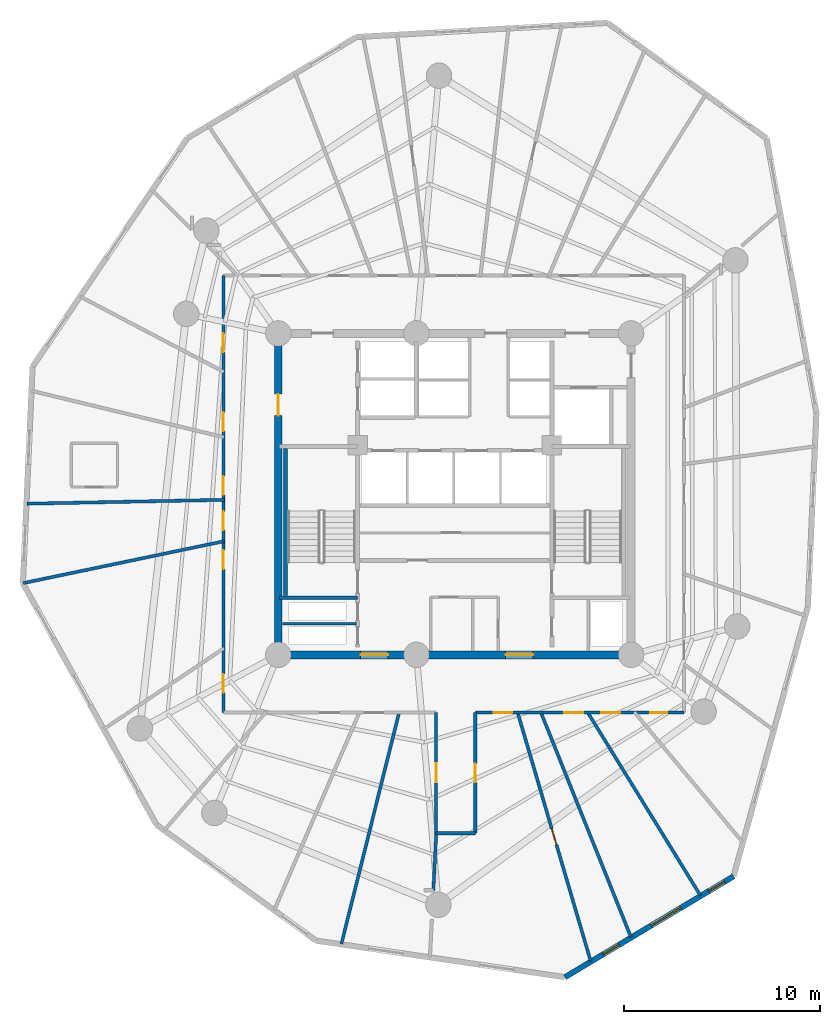
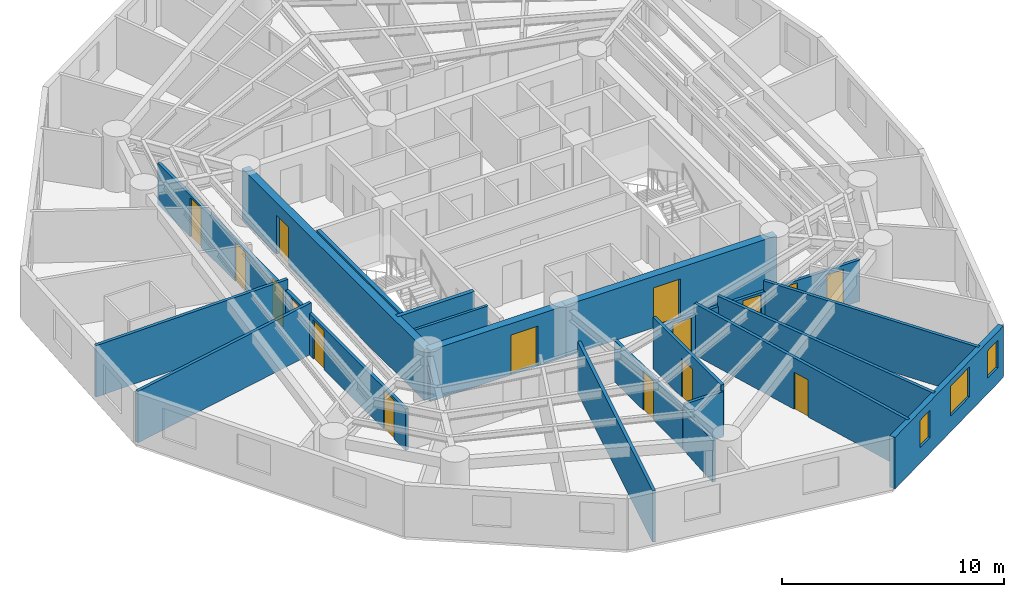
# One storey, part 3 of 8: 19 walls, 16 doors, 3 windows, 19 openings.
"""IFC4 building model written with IfcOpenShell, lengths in metres."""

import ifcopenshell
import ifcopenshell.guid

model = None  # the IFC model being written
_history = None  # IfcOwnerHistory: only IFC2X3 demands one
_inside = {}  # id of a spatial element -> (the spatial element, [elements in it])
_under = {}  # id of a project, library or spatial element -> (it, [spatial elements below it])
_declared = {}  # id of a project -> (the project, [libraries it declares])
_typed = {}  # id of a type object -> (the type object, [elements of that type])
_made_of = {}  # id of a material, layer set ... -> (it, [elements and type objects made of it])


def new_model(schema):
    """Start an empty IFC model of exactly this schema.

    Asked for "IFC4X3", IfcOpenShell would pick the latest addendum, in which some entities
    have other attributes; the version numbers below select the first issue.
    IFC2X3 requires an IfcOwnerHistory on every rooted entity: one is made here for all.
    """
    global model, _history
    if schema == "IFC4X3":
        model = ifcopenshell.file(schema_version=(4, 3, 0, 0))
    else:
        model = ifcopenshell.file(schema=schema)
    _inside.clear()
    _under.clear()
    _declared.clear()
    _typed.clear()
    _made_of.clear()
    _history = None
    if model.schema == "IFC2X3":
        org = make("IfcOrganization", Name="unknown")
        user = make(
            "IfcPersonAndOrganization",
            ThePerson=make("IfcPerson", FamilyName="unknown"),
            TheOrganization=org,
        )
        app = make(
            "IfcApplication",
            ApplicationDeveloper=org,
            Version="unknown",
            ApplicationFullName="unknown",
            ApplicationIdentifier="unknown",
        )
        _history = make(
            "IfcOwnerHistory",
            OwningUser=user,
            OwningApplication=app,
            ChangeAction="ADDED",
            CreationDate=0,
        )
    return model


def make(cls, **values):
    """One entity of the class cls with the attributes given. An attribute that is None is left unset."""
    return model.create_entity(
        cls, **{name: value for name, value in values.items() if value is not None}
    )


def rooted(cls, **values):
    """An entity with a GlobalId (a new one), such as an element, a storey or a relation."""
    return make(cls, GlobalId=ifcopenshell.guid.new(), OwnerHistory=_history, **values)


def si_unit(unit_type, name, prefix=None):
    """IfcSIUnit, for example si_unit("LENGTHUNIT", "METRE", prefix="MILLI")."""
    return make("IfcSIUnit", UnitType=unit_type, Prefix=prefix, Name=name)


def assignment(units):
    """IfcUnitAssignment: the units of a project."""
    return None if units is None else make("IfcUnitAssignment", Units=units)


def point(xyz):
    """IfcCartesianPoint."""
    return None if xyz is None else make("IfcCartesianPoint", Coordinates=xyz)


def direction(xyz):
    """IfcDirection."""
    return None if xyz is None else make("IfcDirection", DirectionRatios=xyz)


def frame(location, z_axis=None, x_axis=None):
    """IfcAxis2Placement3D, a coordinate frame: its origin and axes. An axis left out is left unset."""
    return make(
        "IfcAxis2Placement3D",
        Location=point(location),
        Axis=direction(z_axis),
        RefDirection=direction(x_axis),
    )


def frame_2d(location, x_axis=None):
    """IfcAxis2Placement2D, a coordinate frame in the plane: its origin and x axis."""
    return make(
        "IfcAxis2Placement2D", Location=point(location), RefDirection=direction(x_axis)
    )


def origin():
    """The frame at (0, 0, 0) with its axes left unset."""
    return frame((0.0, 0.0, 0.0))


def origin_with_axes():
    """The frame at (0, 0, 0) with the z axis (0, 0, 1) and the x axis (1, 0, 0) written out."""
    return frame((0.0, 0.0, 0.0), z_axis=(0.0, 0.0, 1.0), x_axis=(1.0, 0.0, 0.0))


def place(relative_to, where):
    """IfcLocalPlacement: puts the frame where relative to a parent placement (None: the world)."""
    return make(
        "IfcLocalPlacement", PlacementRelTo=relative_to, RelativePlacement=where
    )


def context(
    kind, dimensions, precision=None, world=None, true_north=None, identifier=None
):
    """IfcGeometricRepresentationContext, for example the 3D "Model" context."""
    return make(
        "IfcGeometricRepresentationContext",
        ContextIdentifier=identifier,
        ContextType=kind,
        CoordinateSpaceDimension=dimensions,
        Precision=precision,
        WorldCoordinateSystem=world,
        TrueNorth=true_north,
    )


def subcontext(parent, identifier, kind, view, scale=None):
    """IfcGeometricRepresentationSubContext, for example "Body" below "Model"."""
    return make(
        "IfcGeometricRepresentationSubContext",
        ContextIdentifier=identifier,
        ContextType=kind,
        ParentContext=parent,
        TargetScale=scale,
        TargetView=view,
    )


def project(units=None, contexts=None):
    """IfcProject with its units and contexts."""
    return rooted(
        "IfcProject",
        Name="project",
        RepresentationContexts=contexts,
        UnitsInContext=assignment(units),
    )


def spatial(cls, under=None, at=None, **own):
    """A site, building, storey or space (cls), placed at a placement, below another one or the project."""
    s = rooted(cls, ObjectPlacement=at, **own)
    if under is not None:
        _under.setdefault(under.id(), (under, []))[1].append(s)
    return s


def profile(cls, at=None, kind="AREA", **sizes):
    """A parametric profile (cls). Its sizes go by their IFC names, for example OverallWidth=200.0."""
    return make(cls, ProfileType=kind, Position=at, **sizes)


def rectangle(**sizes):
    """IfcRectangleProfileDef."""
    return profile("IfcRectangleProfileDef", **sizes)


def extrude(swept, where, along, depth):
    """IfcExtrudedAreaSolid: the profile swept, set in the frame where, extruded along a direction by depth."""
    return make(
        "IfcExtrudedAreaSolid",
        SweptArea=swept,
        Position=where,
        ExtrudedDirection=direction(along),
        Depth=depth,
    )


def shape(context_of_items, identifier, shape_type, items):
    """IfcShapeRepresentation: the items that make up one representation, for example the "Body"."""
    return make(
        "IfcShapeRepresentation",
        ContextOfItems=context_of_items,
        RepresentationIdentifier=identifier,
        RepresentationType=shape_type,
        Items=items,
    )


def source(mapping_origin, context_of_items, identifier, shape_type, items):
    """IfcRepresentationMap: a shape defined once, which mapped items show again and again."""
    return make(
        "IfcRepresentationMap",
        MappingOrigin=mapping_origin,
        MappedRepresentation=shape(context_of_items, identifier, shape_type, items),
    )


def transform(
    local_origin,
    x_axis=None,
    y_axis=None,
    z_axis=None,
    scale=None,
    scale2=None,
    scale3=None,
    uniform=True,
):
    """IfcCartesianTransformationOperator3D, or its non-uniform kind. x_axis, y_axis, z_axis: its Axis1, 2, 3."""
    if uniform:
        return make(
            "IfcCartesianTransformationOperator3D",
            Axis1=direction(x_axis),
            Axis2=direction(y_axis),
            LocalOrigin=point(local_origin),
            Scale=scale,
            Axis3=direction(z_axis),
        )
    return make(
        "IfcCartesianTransformationOperator3DnonUniform",
        Axis1=direction(x_axis),
        Axis2=direction(y_axis),
        LocalOrigin=point(local_origin),
        Scale=scale,
        Axis3=direction(z_axis),
        Scale2=scale2,
        Scale3=scale3,
    )


def mapped(mapping_source, mapping_target):
    """IfcMappedItem: shows the shape of a source again, moved by a transform."""
    return make(
        "IfcMappedItem", MappingSource=mapping_source, MappingTarget=mapping_target
    )


def material(Name=None, Category=None):
    """IfcMaterial."""
    return make("IfcMaterial", Name=Name, Category=Category)


def layer(
    of_material, thickness, ventilated=None, Name=None, Category=None, Priority=None
):
    """IfcMaterialLayer: one layer of a wall or slab, of a material (None: an air gap)."""
    return make(
        "IfcMaterialLayer",
        Material=of_material,
        LayerThickness=thickness,
        IsVentilated=ventilated,
        Name=Name,
        Category=Category,
        Priority=Priority,
    )


def layer_set(layers, Name=None):
    """IfcMaterialLayerSet."""
    return make("IfcMaterialLayerSet", MaterialLayers=layers, LayerSetName=Name)


def made_of(thing, what):
    """Note that an element or type object is made of a material, layer set ...; save() writes the relation."""
    if what is not None:
        _made_of.setdefault(what.id(), (what, []))[1].append(thing)
    return thing


def type_object(cls, material=None, **own):
    """A type object (cls), such as IfcWallType, which elements share."""
    return made_of(rooted(cls, **own), material)


def element(
    cls,
    number,
    at=None,
    inside=None,
    cuts=None,
    type_object=None,
    material=None,
    context=None,
    identifier="Body",
    shape_type=None,
    held_by="IfcProductDefinitionShape",
    body=None,
    shapes=None,
    **own,
):
    """One element of the class cls, such as IfcWall. Its Tag is "e" and its number.

    at: its placement. inside: the storey or other place that contains it. cuts: it is an
    opening in that element (IfcRelVoidsElement). A single representation is given by context,
    identifier, shape_type and body (its items); several are given by shapes. held_by: the class
    of the entity that holds the representations. save() writes the other relations.
    """
    e = rooted(cls, Tag="e%d" % number, ObjectPlacement=at, **own)
    if body is not None:
        shapes = [shape(context, identifier, shape_type, body)]
    if shapes is not None:
        e.Representation = make(held_by, Representations=shapes)
    if inside is not None:
        _inside.setdefault(inside.id(), (inside, []))[1].append(e)
    if cuts is not None:
        rooted(
            "IfcRelVoidsElement", RelatingBuildingElement=cuts, RelatedOpeningElement=e
        )
    if type_object is not None:
        _typed.setdefault(type_object.id(), (type_object, []))[1].append(e)
    return made_of(e, material)


def fill(opening, filler):
    """IfcRelFillsElement: the door or window that sits in an opening."""
    return rooted(
        "IfcRelFillsElement",
        RelatingOpeningElement=opening,
        RelatedBuildingElement=filler,
    )


def aggregate(whole, parts):
    """IfcRelAggregates: a whole, such as a stair, and the parts it consists of."""
    return rooted("IfcRelAggregates", RelatingObject=whole, RelatedObjects=parts)


def save(model, path):
    """Write the relations noted so far, then the file.

    IfcRelAggregates (storeys below a building ...), IfcRelContainedInSpatialStructure (elements
    in a storey), IfcRelDefinesByType, IfcRelAssociatesMaterial and IfcRelDeclares: one each for
    every whole, place, type object, material and project.
    """
    for whole, parts in _under.values():
        aggregate(whole, parts)
    for where, things in _inside.values():
        rooted(
            "IfcRelContainedInSpatialStructure",
            RelatedElements=things,
            RelatingStructure=where,
        )
    for kind, things in _typed.values():
        rooted("IfcRelDefinesByType", RelatedObjects=things, RelatingType=kind)
    for what, things in _made_of.values():
        rooted("IfcRelAssociatesMaterial", RelatedObjects=things, RelatingMaterial=what)
    for by, libraries in _declared.values():
        rooted("IfcRelDeclares", RelatingContext=by, RelatedDefinitions=libraries)
    model.write(path)


model = new_model("IFC4")

# Units and contexts
model_context = context("Model", 3, precision=1e-05, world=origin(), true_north=direction((0.0, 1.0)))
body_context = subcontext(model_context, "Body", "Model", "MODEL_VIEW")
ifc_project = project(units=[si_unit("LENGTHUNIT", "METRE"), si_unit("AREAUNIT", "SQUARE_METRE"), si_unit("VOLUMEUNIT", "CUBIC_METRE"), si_unit("PLANEANGLEUNIT", "RADIAN"), si_unit("MASSUNIT", "GRAM", prefix="KILO")], contexts=[model_context])

# Site, building, storey
site_placement = place(None, origin())
site = spatial("IfcSite", under=ifc_project, at=site_placement, CompositionType="ELEMENT")
building_placement = place(site_placement, origin())
building = spatial("IfcBuilding", under=site, at=building_placement, Name="Karkom Vertical University and Central Library", CompositionType="ELEMENT")
storey_placement = place(building_placement, frame((0.0, 0.0, 180.949951171875)))
storey = spatial("IfcBuildingStorey", under=building, at=storey_placement, Name="L52", CompositionType="ELEMENT", Elevation=180.949951171875)

# Wall, openings, windows
ifc_material_1 = material(Name="Brick-faced precast concrete C45/55", Category="masonry")
ifc_layer_1 = layer(ifc_material_1, 0.280029296875)
ifc_layer_set_1 = layer_set([ifc_layer_1], Name="Brick-faced precast concrete C45/55")
wall_type_1 = type_object("IfcWallType", Name="ENV-WL-BRK-280", PredefinedType="SOLIDWALL", material=ifc_layer_set_1)
wall_1_placement = place(storey_placement, frame((34.122802734375, 1.85009765625, 0.0), z_axis=(0.0, 0.0, 1.0), x_axis=(0.858226046781, 0.513271909057, 0.0)))
wall_1 = element("IfcWall", 1, at=wall_1_placement, inside=storey, type_object=wall_type_1, Name="Level 52 Brick-Faced Precast Facade Wall 05", PredefinedType="SOLIDWALL", context=body_context, shape_type="SweptSolid", body=[
    extrude(rectangle(XDim=10.037353515625, YDim=0.280029296875, at=frame_2d((5.0185546875, 0.0))), origin(), (0.0, 0.0, 1.0), 2.824951171875),
])
opening_1_placement = place(wall_1_placement, frame((2.2802734375, 0.0, 0.85009765625)))
opening_1 = element("IfcOpeningElement", 2, at=opening_1_placement, cuts=wall_1, Name="Opening WN-12", PredefinedType="OPENING", context=body_context, shape_type="SweptSolid", body=[
    extrude(rectangle(XDim=0.949951171875, YDim=1.5, at=frame_2d((0.47509765625, 0.75))), frame((0.0, 0.14990234375, 0.0), z_axis=(0.0, -1.0, 0.0), x_axis=(1.0, 0.0, 0.0)), (0.0, 0.0, 1.0), 0.300048828125),
])
opening_2_placement = place(wall_1_placement, frame((5.138671875, 0.0, 0.85009765625)))
opening_2 = element("IfcOpeningElement", 3, at=opening_2_placement, cuts=wall_1, Name="Opening WN-08", PredefinedType="OPENING", context=body_context, shape_type="SweptSolid", body=[
    extrude(rectangle(XDim=1.75, YDim=1.64990234375, at=frame_2d((0.875, 0.824951171875))), frame((0.0, 0.14990234375, 0.0), z_axis=(0.0, -1.0, 0.0), x_axis=(1.0, 0.0, 0.0)), (0.0, 0.0, 1.0), 0.300048828125),
])
opening_3_placement = place(wall_1_placement, frame((8.5517578125, 0.0, 0.85009765625)))
opening_3 = element("IfcOpeningElement", 4, at=opening_3_placement, cuts=wall_1, Name="Opening WN-12", PredefinedType="OPENING", context=body_context, shape_type="SweptSolid", body=[
    extrude(rectangle(XDim=0.949951171875, YDim=1.5, at=frame_2d((0.47509765625, 0.75))), frame((0.0, 0.14990234375, 0.0), z_axis=(0.0, -1.0, 0.0), x_axis=(1.0, 0.0, 0.0)), (0.0, 0.0, 1.0), 0.300048828125),
])
ifc_material_2 = material(Name="Aluminium thermal-break frame with solar-control IGU", Category="aluminium")
window_type_1 = type_object("IfcWindowType", Name="ENV-WIN-WN-12", PartitioningType="SINGLE_PANEL", PredefinedType="WINDOW", material=ifc_material_2)
shared_shape_1 = source(origin_with_axes(), body_context, "Body", "SweptSolid", [
    extrude(rectangle(XDim=0.949951171875, YDim=1.5, at=frame_2d((0.47509765625, 0.75))), frame((0.0, 0.030029296875, 0.0), z_axis=(0.0, -1.0, 0.0), x_axis=(1.0, 0.0, 0.0)), (0.0, 0.0, 1.0), 0.06005859375),
])
window_1_placement = place(opening_1_placement, origin())
window_1 = element("IfcWindow", 5, at=window_1_placement, inside=storey, type_object=window_type_1, Name="Level 52 Punched Window 5.1", OverallHeight=1.5, OverallWidth=0.949951171875, PartitioningType="SINGLE_PANEL", PredefinedType="WINDOW", context=body_context, shape_type="MappedRepresentation", body=[
    mapped(shared_shape_1, transform((0.0, 0.0, 0.0), scale=1.0)),
])
fill(opening_1, window_1)
window_2_placement = place(opening_3_placement, origin())
window_2 = element("IfcWindow", 6, at=window_2_placement, inside=storey, type_object=window_type_1, Name="Level 52 Punched Window 5.3", OverallHeight=1.5, OverallWidth=0.949951171875, PartitioningType="SINGLE_PANEL", PredefinedType="WINDOW", context=body_context, shape_type="MappedRepresentation", body=[
    mapped(shared_shape_1, transform((0.0, 0.0, 0.0), scale=1.0)),
])
fill(opening_3, window_2)
window_type_2 = type_object("IfcWindowType", Name="ENV-WIN-WN-08", PartitioningType="SINGLE_PANEL", PredefinedType="WINDOW", material=ifc_material_2)
shared_shape_2 = source(origin_with_axes(), body_context, "Body", "SweptSolid", [
    extrude(rectangle(XDim=1.75, YDim=1.64990234375, at=frame_2d((0.875, 0.824951171875))), frame((0.0, 0.030029296875, 0.0), z_axis=(0.0, -1.0, 0.0), x_axis=(1.0, 0.0, 0.0)), (0.0, 0.0, 1.0), 0.06005859375),
])
window_3_placement = place(opening_2_placement, origin())
window_3 = element("IfcWindow", 7, at=window_3_placement, inside=storey, type_object=window_type_2, Name="Level 52 Punched Window 5.2", OverallHeight=1.64990234375, OverallWidth=1.75, PartitioningType="SINGLE_PANEL", PredefinedType="WINDOW", context=body_context, shape_type="MappedRepresentation", body=[
    mapped(shared_shape_2, transform((0.0, 0.0, 0.0), scale=1.0)),
])
fill(opening_2, window_3)

# Wall, openings, doors
ifc_material_3 = material(Name="Insulated metal-stud drywall 160mm", Category="gypsum")
ifc_layer_2 = layer(ifc_material_3, 0.159912109375)
ifc_layer_set_2 = layer_set([ifc_layer_2], Name="Insulated metal-stud drywall 160mm")
wall_type_2 = type_object("IfcWallType", Name="INT-WL-COR-160", PredefinedType="PARTITIONING", material=ifc_layer_set_2)
wall_2_placement = place(storey_placement, frame((16.699951171875, 15.35009765625, 0.0), z_axis=(0.0, 0.0, 1.0), x_axis=(0.0, 1.0, 0.0)))
wall_2 = element("IfcWall", 8, at=wall_2_placement, inside=storey, type_object=wall_type_2, Name="Level 52 Interior Partition Wall L52-CORW-CW-002", PredefinedType="PARTITIONING", context=body_context, shape_type="SweptSolid", body=[
    extrude(rectangle(XDim=22.2998046875, YDim=0.159912109375, at=frame_2d((11.14990234375, 0.0))), origin(), (0.0, 0.0, 1.0), 2.275146484375),
])
opening_4_placement = place(wall_2_placement, frame((9.31494140625, 0.0, 0.0)))
opening_4 = element("IfcOpeningElement", 9, at=opening_4_placement, cuts=wall_2, Name="Opening D-RM1", PredefinedType="OPENING", context=body_context, shape_type="SweptSolid", body=[
    extrude(rectangle(XDim=0.949951171875, YDim=2.14990234375, at=frame_2d((0.47509765625, 1.074951171875))), frame((0.0, 0.08984375, 0.0), z_axis=(0.0, -1.0, 0.0), x_axis=(1.0, 0.0, 0.0)), (0.0, 0.0, 1.0), 0.179931640625),
])
opening_5_placement = place(wall_2_placement, frame((7.330078125, 0.0, 0.0)))
opening_5 = element("IfcOpeningElement", 10, at=opening_5_placement, cuts=wall_2, Name="Opening FD-RM2", PredefinedType="OPENING", context=body_context, shape_type="SweptSolid", body=[
    extrude(rectangle(XDim=0.9599609375, YDim=2.14990234375, at=frame_2d((0.47998046875, 1.074951171875))), frame((0.0, 0.08984375, 0.0), z_axis=(0.0, -1.0, 0.0), x_axis=(1.0, 0.0, 0.0)), (0.0, 0.0, 1.0), 0.179931640625),
])
opening_6_placement = place(wall_2_placement, frame((1.02099609375, 0.0, 0.0)))
opening_6 = element("IfcOpeningElement", 11, at=opening_6_placement, cuts=wall_2, Name="Opening D-RM1", PredefinedType="OPENING", context=body_context, shape_type="SweptSolid", body=[
    extrude(rectangle(XDim=0.949951171875, YDim=2.14990234375, at=frame_2d((0.47509765625, 1.074951171875))), frame((0.0, 0.08984375, 0.0), z_axis=(0.0, -1.0, 0.0), x_axis=(1.0, 0.0, 0.0)), (0.0, 0.0, 1.0), 0.179931640625),
])
opening_7_placement = place(wall_2_placement, frame((18.395751953125, 0.0, 0.0)))
opening_7 = element("IfcOpeningElement", 12, at=opening_7_placement, cuts=wall_2, Name="Opening FD-RM2", PredefinedType="OPENING", context=body_context, shape_type="SweptSolid", body=[
    extrude(rectangle(XDim=0.9599609375, YDim=2.14990234375, at=frame_2d((0.47998046875, 1.074951171875))), frame((0.0, 0.08984375, 0.0), z_axis=(0.0, -1.0, 0.0), x_axis=(1.0, 0.0, 0.0)), (0.0, 0.0, 1.0), 0.179931640625),
])
opening_8_placement = place(wall_2_placement, frame((14.360107421875, 0.0, 0.0)))
opening_8 = element("IfcOpeningElement", 13, at=opening_8_placement, cuts=wall_2, Name="Opening FD-RM2", PredefinedType="OPENING", context=body_context, shape_type="SweptSolid", body=[
    extrude(rectangle(XDim=0.9599609375, YDim=2.14990234375, at=frame_2d((0.47998046875, 1.074951171875))), frame((0.0, 0.08984375, 0.0), z_axis=(0.0, -1.0, 0.0), x_axis=(1.0, 0.0, 0.0)), (0.0, 0.0, 1.0), 0.179931640625),
])
opening_9_placement = place(wall_2_placement, frame((11.114990234375, 0.0, 0.0)))
opening_9 = element("IfcOpeningElement", 14, at=opening_9_placement, cuts=wall_2, Name="Opening D-RM1", PredefinedType="OPENING", context=body_context, shape_type="SweptSolid", body=[
    extrude(rectangle(XDim=0.949951171875, YDim=2.14990234375, at=frame_2d((0.47509765625, 1.074951171875))), frame((0.0, 0.08984375, 0.0), z_axis=(0.0, -1.0, 0.0), x_axis=(1.0, 0.0, 0.0)), (0.0, 0.0, 1.0), 0.179931640625),
])
ifc_material_4 = material(Name="Fire-rated oak veneer door", Category="wood")
door_type_1 = type_object("IfcDoorType", Name="INT-DR-FRM2", OperationType="NOTDEFINED", PredefinedType="DOOR", material=ifc_material_4)
shared_shape_3 = source(origin_with_axes(), body_context, "Body", "SweptSolid", [
    extrude(rectangle(XDim=0.9599609375, YDim=2.14990234375, at=frame_2d((0.47998046875, 1.074951171875))), frame((0.0, 0.02490234375, 0.0), z_axis=(0.0, -1.0, 0.0), x_axis=(1.0, 0.0, 0.0)), (0.0, 0.0, 1.0), 0.050048828125),
])
door_1_placement = place(opening_5_placement, origin())
door_1 = element("IfcDoor", 15, at=door_1_placement, inside=storey, type_object=door_type_1, Name="Level 52 Room Entry Door 010", OperationType="SINGLE_SWING_RIGHT", OverallHeight=2.14990234375, OverallWidth=0.9599609375, PredefinedType="DOOR", context=body_context, shape_type="MappedRepresentation", body=[
    mapped(shared_shape_3, transform((0.0, 0.0, 0.0), scale=1.0)),
])
fill(opening_5, door_1)
door_2_placement = place(opening_7_placement, origin())
door_2 = element("IfcDoor", 16, at=door_2_placement, inside=storey, type_object=door_type_1, Name="Level 52 Room Entry Door 240", OperationType="SINGLE_SWING_RIGHT", OverallHeight=2.14990234375, OverallWidth=0.9599609375, PredefinedType="DOOR", context=body_context, shape_type="MappedRepresentation", body=[
    mapped(shared_shape_3, transform((0.0, 0.0, 0.0), scale=1.0)),
])
fill(opening_7, door_2)
door_3_placement = place(opening_8_placement, origin())
door_3 = element("IfcDoor", 17, at=door_3_placement, inside=storey, type_object=door_type_1, Name="Level 52 Room Entry Door 250", OperationType="SINGLE_SWING_LEFT", OverallHeight=2.14990234375, OverallWidth=0.9599609375, PredefinedType="DOOR", context=body_context, shape_type="MappedRepresentation", body=[
    mapped(shared_shape_3, transform((0.0, 0.0, 0.0), scale=1.0)),
])
fill(opening_8, door_3)
ifc_material_5 = material(Name="Solid-core oak veneer door", Category="wood")
door_type_2 = type_object("IfcDoorType", Name="INT-DR-RM1", OperationType="NOTDEFINED", PredefinedType="DOOR", material=ifc_material_5)
shared_shape_4 = source(origin_with_axes(), body_context, "Body", "SweptSolid", [
    extrude(rectangle(XDim=0.949951171875, YDim=2.14990234375, at=frame_2d((0.47509765625, 1.074951171875))), frame((0.0, 0.02490234375, 0.0), z_axis=(0.0, -1.0, 0.0), x_axis=(1.0, 0.0, 0.0)), (0.0, 0.0, 1.0), 0.050048828125),
])
door_4_placement = place(opening_4_placement, origin())
door_4 = element("IfcDoor", 18, at=door_4_placement, inside=storey, type_object=door_type_2, Name="Level 52 Room Entry Door 000", OperationType="SINGLE_SWING_LEFT", OverallHeight=2.14990234375, OverallWidth=0.949951171875, PredefinedType="DOOR", context=body_context, shape_type="MappedRepresentation", body=[
    mapped(shared_shape_4, transform((0.0, 0.0, 0.0), scale=1.0)),
])
fill(opening_4, door_4)
door_5_placement = place(opening_6_placement, origin())
door_5 = element("IfcDoor", 19, at=door_5_placement, inside=storey, type_object=door_type_2, Name="Level 52 Room Entry Door 020", OperationType="SINGLE_SWING_LEFT", OverallHeight=2.14990234375, OverallWidth=0.949951171875, PredefinedType="DOOR", context=body_context, shape_type="MappedRepresentation", body=[
    mapped(shared_shape_4, transform((0.0, 0.0, 0.0), scale=1.0)),
])
fill(opening_6, door_5)
door_6_placement = place(opening_9_placement, origin())
door_6 = element("IfcDoor", 20, at=door_6_placement, inside=storey, type_object=door_type_2, Name="Level 52 Room Entry Door 260", OperationType="SINGLE_SWING_RIGHT", OverallHeight=2.14990234375, OverallWidth=0.949951171875, PredefinedType="DOOR", context=body_context, shape_type="MappedRepresentation", body=[
    mapped(shared_shape_4, transform((0.0, 0.0, 0.0), scale=1.0)),
])
fill(opening_9, door_6)

# Wall, opening, door
wall_3_placement = place(storey_placement, frame((31.705322265625, 15.37890625, 0.0), z_axis=(0.0, 0.0, 1.0), x_axis=(0.281920857813, -0.959437663389, 0.0)))
wall_3 = element("IfcWall", 21, at=wall_3_placement, inside=storey, type_object=wall_type_2, Name="Level 52 Interior Partition Wall L52-PW-012", PredefinedType="PARTITIONING", context=body_context, shape_type="SweptSolid", body=[
    extrude(rectangle(XDim=13.2470703125, YDim=0.159912109375, at=frame_2d((6.62353515625, 0.0))), origin(), (0.0, 0.0, 1.0), 2.824951171875),
])
opening_10_placement = place(wall_3_placement, frame((6.193359375, 0.0, 0.0)))
opening_10 = element("IfcOpeningElement", 22, at=opening_10_placement, cuts=wall_3, Name="Opening FD-BTH2", PredefinedType="OPENING", context=body_context, shape_type="SweptSolid", body=[
    extrude(rectangle(XDim=0.860107421875, YDim=2.0400390625, at=frame_2d((0.43017578125, 1.02001953125))), frame((0.0, 0.08984375, 0.0), z_axis=(0.0, -1.0, 0.0), x_axis=(1.0, 0.0, 0.0)), (0.0, 0.0, 1.0), 0.179931640625),
])
ifc_material_6 = material(Name="Fire-rated moisture-resistant oak door", Category="wood")
door_type_3 = type_object("IfcDoorType", Name="INT-DR-FBTH2", OperationType="NOTDEFINED", PredefinedType="DOOR", material=ifc_material_6)
shared_shape_5 = source(origin_with_axes(), body_context, "Body", "SweptSolid", [
    extrude(rectangle(XDim=0.860107421875, YDim=2.0400390625, at=frame_2d((0.43017578125, 1.02001953125))), frame((0.0, 0.02490234375, 0.0), z_axis=(0.0, -1.0, 0.0), x_axis=(1.0, 0.0, 0.0)), (0.0, 0.0, 1.0), 0.050048828125),
])
door_7_placement = place(opening_10_placement, origin())
door_7 = element("IfcDoor", 23, at=door_7_placement, inside=storey, type_object=door_type_3, Name="Level 52 Academic Servery Tea Pantry Entry Door", OperationType="SINGLE_SWING_RIGHT", OverallHeight=2.0400390625, OverallWidth=0.860107421875, PredefinedType="DOOR", context=body_context, shape_type="MappedRepresentation", body=[
    mapped(shared_shape_5, transform((0.0, 0.0, 0.0), scale=1.0)),
])
fill(opening_10, door_7)

# Walls
wall_4_placement = place(storey_placement, frame((32.893798828125, 15.377685546875, 0.0), z_axis=(0.0, 0.0, 1.0), x_axis=(0.372061025982, -0.928208270242, 0.0)))
element("IfcWall", 24, at=wall_4_placement, inside=storey, type_object=wall_type_2, Name="Level 52 Interior Partition Wall L52-PW-013", PredefinedType="PARTITIONING", context=body_context, shape_type="SweptSolid", body=[
    extrude(rectangle(XDim=12.368408203125, YDim=0.159912109375, at=frame_2d((6.18408203125, 0.0))), origin(), (0.0, 0.0, 1.0), 2.824951171875),
])
wall_5_placement = place(storey_placement, frame((25.668701171875, 15.379150390625, 0.0), z_axis=(0.0, 0.0, 1.0), x_axis=(-0.241645060657, -0.970364707035, 0.0)))
element("IfcWall", 25, at=wall_5_placement, inside=storey, type_object=wall_type_2, Name="Level 52 Interior Partition Wall L52-PW-008", PredefinedType="PARTITIONING", context=body_context, shape_type="SweptSolid", body=[
    extrude(rectangle(XDim=12.192626953125, YDim=0.159912109375, at=frame_2d((6.09619140625, 0.0))), origin(), (0.0, 0.0, 1.0), 2.824951171875),
])
wall_6_placement = place(storey_placement, frame((35.279296875, 15.37548828125, 0.0), z_axis=(0.0, 0.0, 1.0), x_axis=(0.524324221798, -0.851518708213, 0.0)))
element("IfcWall", 26, at=wall_6_placement, inside=storey, type_object=wall_type_2, Name="Level 52 Interior Partition Wall L52-PW-014", PredefinedType="PARTITIONING", context=body_context, shape_type="SweptSolid", body=[
    extrude(rectangle(XDim=10.990234375, YDim=0.159912109375, at=frame_2d((5.4951171875, 0.0))), origin(), (0.0, 0.0, 1.0), 2.824951171875),
])

# Wall, openings, doors
wall_7_placement = place(storey_placement, frame((40.199951171875, 15.35009765625, 0.0), z_axis=(0.0, 0.0, 1.0), x_axis=(-1.0, 0.0, 0.0)))
wall_7 = element("IfcWall", 27, at=wall_7_placement, inside=storey, type_object=wall_type_2, Name="Level 52 Interior Partition Wall L52-CORW-CW-005", PredefinedType="PARTITIONING", context=body_context, shape_type="SweptSolid", body=[
    extrude(rectangle(XDim=10.64990234375, YDim=0.159912109375, at=frame_2d((5.324951171875, 0.0))), origin(), (0.0, 0.0, 1.0), 2.275146484375),
])
opening_11_placement = place(wall_7_placement, frame((8.75244140625, 0.0, 0.0)))
opening_11 = element("IfcOpeningElement", 28, at=opening_11_placement, cuts=wall_7, Name="Opening FD-RM2", PredefinedType="OPENING", context=body_context, shape_type="SweptSolid", body=[
    extrude(rectangle(XDim=0.9599609375, YDim=2.14990234375, at=frame_2d((0.47998046875, 1.074951171875))), frame((0.0, 0.08984375, 0.0), z_axis=(0.0, -1.0, 0.0), x_axis=(1.0, 0.0, 0.0)), (0.0, 0.0, 1.0), 0.179931640625),
])
opening_12_placement = place(wall_7_placement, frame((5.139892578125, 0.0, 0.0)))
opening_12 = element("IfcOpeningElement", 29, at=opening_12_placement, cuts=wall_7, Name="Opening FD-RM2", PredefinedType="OPENING", context=body_context, shape_type="SweptSolid", body=[
    extrude(rectangle(XDim=0.9599609375, YDim=2.14990234375, at=frame_2d((0.47998046875, 1.074951171875))), frame((0.0, 0.08984375, 0.0), z_axis=(0.0, -1.0, 0.0), x_axis=(1.0, 0.0, 0.0)), (0.0, 0.0, 1.0), 0.179931640625),
])
opening_13_placement = place(wall_7_placement, frame((3.25244140625, 0.0, 0.0)))
opening_13 = element("IfcOpeningElement", 30, at=opening_13_placement, cuts=wall_7, Name="Opening FD-RM2", PredefinedType="OPENING", context=body_context, shape_type="SweptSolid", body=[
    extrude(rectangle(XDim=0.9599609375, YDim=2.14990234375, at=frame_2d((0.47998046875, 1.074951171875))), frame((0.0, 0.08984375, 0.0), z_axis=(0.0, -1.0, 0.0), x_axis=(1.0, 0.0, 0.0)), (0.0, 0.0, 1.0), 0.179931640625),
])
opening_14_placement = place(wall_7_placement, frame((0.8671875, 0.0, 0.0)))
opening_14 = element("IfcOpeningElement", 31, at=opening_14_placement, cuts=wall_7, Name="Opening FD-BTH2", PredefinedType="OPENING", context=body_context, shape_type="SweptSolid", body=[
    extrude(rectangle(XDim=0.860107421875, YDim=2.0400390625, at=frame_2d((0.43017578125, 1.02001953125))), frame((0.0, 0.08984375, 0.0), z_axis=(0.0, -1.0, 0.0), x_axis=(1.0, 0.0, 0.0)), (0.0, 0.0, 1.0), 0.179931640625),
])
door_8_placement = place(opening_11_placement, origin())
door_8 = element("IfcDoor", 32, at=door_8_placement, inside=storey, type_object=door_type_1, Name="Level 52 Room Entry Door 070", OperationType="SINGLE_SWING_RIGHT", OverallHeight=2.14990234375, OverallWidth=0.9599609375, PredefinedType="DOOR", context=body_context, shape_type="MappedRepresentation", body=[
    mapped(shared_shape_3, transform((0.0, 0.0, 0.0), scale=1.0)),
])
fill(opening_11, door_8)
door_9_placement = place(opening_12_placement, origin())
door_9 = element("IfcDoor", 33, at=door_9_placement, inside=storey, type_object=door_type_1, Name="Level 52 Room Entry Door 080", OperationType="SINGLE_SWING_LEFT", OverallHeight=2.14990234375, OverallWidth=0.9599609375, PredefinedType="DOOR", context=body_context, shape_type="MappedRepresentation", body=[
    mapped(shared_shape_3, transform((0.0, 0.0, 0.0), scale=1.0)),
])
fill(opening_12, door_9)
door_10_placement = place(opening_13_placement, origin())
door_10 = element("IfcDoor", 34, at=door_10_placement, inside=storey, type_object=door_type_1, Name="Level 52 Room Entry Door 090", OperationType="SINGLE_SWING_RIGHT", OverallHeight=2.14990234375, OverallWidth=0.9599609375, PredefinedType="DOOR", context=body_context, shape_type="MappedRepresentation", body=[
    mapped(shared_shape_3, transform((0.0, 0.0, 0.0), scale=1.0)),
])
fill(opening_13, door_10)
door_11_placement = place(opening_14_placement, origin())
door_11 = element("IfcDoor", 35, at=door_11_placement, inside=storey, type_object=door_type_3, Name="Level 52 Academic Servery Tea Pantry Entry Door", OperationType="SINGLE_SWING_LEFT", OverallHeight=2.0400390625, OverallWidth=0.860107421875, PredefinedType="DOOR", context=body_context, shape_type="MappedRepresentation", body=[
    mapped(shared_shape_5, transform((0.0, 0.0, 0.0), scale=1.0)),
])
fill(opening_14, door_11)

# Walls
wall_8_placement = place(storey_placement, frame((16.7294921875, 24.09619140625, 0.0), z_axis=(0.0, 0.0, 1.0), x_axis=(-0.978925817261, -0.204216170515, 0.0)))
element("IfcWall", 36, at=wall_8_placement, inside=storey, type_object=wall_type_2, Name="Level 52 Interior Partition Wall L52-PW-001", PredefinedType="PARTITIONING", context=body_context, shape_type="SweptSolid", body=[
    extrude(rectangle(XDim=10.45947265625, YDim=0.159912109375, at=frame_2d((5.229736328125, 0.0))), origin(), (0.0, 0.0, 1.0), 2.824951171875),
])
wall_9_placement = place(storey_placement, frame((6.669677734375, 26.0107421875, 0.0), z_axis=(0.0, 0.0, 1.0), x_axis=(0.999806964113, 0.01964776098, 0.0)))
element("IfcWall", 37, at=wall_9_placement, inside=storey, type_object=wall_type_2, Name="Level 52 Interior Partition Wall L52-PW-002", PredefinedType="PARTITIONING", context=body_context, shape_type="SweptSolid", body=[
    extrude(rectangle(XDim=10.077392578125, YDim=0.159912109375, at=frame_2d((5.03857421875, 0.0))), origin(), (0.0, 0.0, 1.0), 2.824951171875),
])

# Wall, opening, door
wall_10_placement = place(storey_placement, frame((29.550048828125, 15.35009765625, 0.0), z_axis=(0.0, 0.0, 1.0), x_axis=(0.0, -1.0, 0.0)))
wall_10 = element("IfcWall", 38, at=wall_10_placement, inside=storey, type_object=wall_type_2, Name="Level 52 Interior Partition Wall L52-CORW-CW-006", PredefinedType="PARTITIONING", context=body_context, shape_type="SweptSolid", body=[
    extrude(rectangle(XDim=6.150146484375, YDim=0.159912109375, at=frame_2d((3.0751953125, 0.0))), origin(), (0.0, 0.0, 1.0), 2.824951171875),
])
opening_15_placement = place(wall_10_placement, frame((2.60009765625, 0.0, 0.0)))
opening_15 = element("IfcOpeningElement", 39, at=opening_15_placement, cuts=wall_10, Name="Opening FD-RM2", PredefinedType="OPENING", context=body_context, shape_type="SweptSolid", body=[
    extrude(rectangle(XDim=0.9599609375, YDim=2.14990234375, at=frame_2d((0.47998046875, 1.074951171875))), frame((0.0, 0.08984375, 0.0), z_axis=(0.0, -1.0, 0.0), x_axis=(1.0, 0.0, 0.0)), (0.0, 0.0, 1.0), 0.179931640625),
])
door_12_placement = place(opening_15_placement, origin())
door_12 = element("IfcDoor", 40, at=door_12_placement, inside=storey, type_object=door_type_1, Name="Level 52 Room Entry Door 060", OperationType="SINGLE_SWING_LEFT", OverallHeight=2.14990234375, OverallWidth=0.9599609375, PredefinedType="DOOR", context=body_context, shape_type="MappedRepresentation", body=[
    mapped(shared_shape_3, transform((0.0, 0.0, 0.0), scale=1.0)),
])
fill(opening_15, door_12)

wall_11_placement = place(storey_placement, frame((27.550048828125, 9.199951171875, 0.0), z_axis=(0.0, 0.0, 1.0), x_axis=(0.0, 1.0, 0.0)))
wall_11 = element("IfcWall", 41, at=wall_11_placement, inside=storey, type_object=wall_type_2, Name="Level 52 Interior Partition Wall L52-CORW-CW-008", PredefinedType="PARTITIONING", context=body_context, shape_type="SweptSolid", body=[
    extrude(rectangle(XDim=6.150146484375, YDim=0.159912109375, at=frame_2d((3.0751953125, 0.0))), origin(), (0.0, 0.0, 1.0), 2.275146484375),
])
opening_16_placement = place(wall_11_placement, frame((2.60009765625, 0.0, 0.0)))
opening_16 = element("IfcOpeningElement", 42, at=opening_16_placement, cuts=wall_11, Name="Opening FD-RM2", PredefinedType="OPENING", context=body_context, shape_type="SweptSolid", body=[
    extrude(rectangle(XDim=0.9599609375, YDim=2.14990234375, at=frame_2d((0.47998046875, 1.074951171875))), frame((0.0, 0.08984375, 0.0), z_axis=(0.0, -1.0, 0.0), x_axis=(1.0, 0.0, 0.0)), (0.0, 0.0, 1.0), 0.179931640625),
])
door_13_placement = place(opening_16_placement, origin())
door_13 = element("IfcDoor", 43, at=door_13_placement, inside=storey, type_object=door_type_1, Name="Level 52 Room Entry Door 050", OperationType="SINGLE_SWING_RIGHT", OverallHeight=2.14990234375, OverallWidth=0.9599609375, PredefinedType="DOOR", context=body_context, shape_type="MappedRepresentation", body=[
    mapped(shared_shape_3, transform((0.0, 0.0, 0.0), scale=1.0)),
])
fill(opening_16, door_13)

# Walls
wall_12_placement = place(storey_placement, frame((27.56103515625, 9.22998046875, 0.0), z_axis=(0.0, 0.0, 1.0), x_axis=(-0.050822498854, -0.998707701788, 0.0)))
element("IfcWall", 44, at=wall_12_placement, inside=storey, type_object=wall_type_2, Name="Level 52 Interior Partition Wall L52-PW-009", PredefinedType="PARTITIONING", context=body_context, shape_type="SweptSolid", body=[
    extrude(rectangle(XDim=2.94482421875, YDim=0.159912109375, at=frame_2d((1.472412109375, 0.0))), origin(), (0.0, 0.0, 1.0), 2.275146484375),
])
wall_13_placement = place(storey_placement, frame((29.550048828125, 9.199951171875, 0.0), z_axis=(0.0, 0.0, 1.0), x_axis=(-1.0, 0.0, 0.0)))
element("IfcWall", 45, at=wall_13_placement, inside=storey, type_object=wall_type_2, Name="Level 52 Interior Partition Wall L52-CORW-CW-007", PredefinedType="PARTITIONING", context=body_context, shape_type="SweptSolid", body=[
    extrude(rectangle(XDim=2.0, YDim=0.159912109375, at=frame_2d((1.0, 0.0))), origin(), (0.0, 0.0, 1.0), 2.4951171875),
])
ifc_material_7 = material(Name="Metal-stud gypsum partition 140mm", Category="gypsum")
ifc_layer_3 = layer(ifc_material_7, 0.139892578125)
ifc_layer_set_3 = layer_set([ifc_layer_3], Name="Metal-stud gypsum partition 140mm")
wall_type_3 = type_object("IfcWallType", Name="INT-WL-SUB-140H", PredefinedType="PARTITIONING", material=ifc_layer_set_3)
wall_14_placement = place(storey_placement, frame((19.70703125, 19.889892578125, 0.0), z_axis=(0.0, 0.0, 1.0), x_axis=(1.0, 0.0, 0.0)))
element("IfcWall", 46, at=wall_14_placement, inside=storey, type_object=wall_type_3, Name="Level 52 Interior Partition Wall L52-CW-RIS-W", PredefinedType="PARTITIONING", context=body_context, shape_type="SweptSolid", body=[
    extrude(rectangle(XDim=3.789794921875, YDim=0.139892578125, at=frame_2d((1.89501953125, 0.0))), origin(), (0.0, 0.0, 1.0), 2.824951171875),
])

# Wall, opening, door
ifc_material_8 = material(Name="Concrete C50/60", Category="concrete")
ifc_layer_4 = layer(ifc_material_8, 0.39990234375)
ifc_layer_set_4 = layer_set([ifc_layer_4], Name="Concrete C50/60")
wall_type_4 = type_object("IfcWallType", Name="STR-WL-CW-400", PredefinedType="SHEAR", material=ifc_layer_set_4)
wall_15_placement = place(storey_placement, frame((19.5, 18.300048828125, 0.0), z_axis=(0.0, 0.0, 1.0), x_axis=(1.0, 0.0, 0.0)))
wall_15 = element("IfcWall", 47, at=wall_15_placement, inside=storey, type_object=wall_type_4, Name="Level 52 Central Core Shear Wall SW1", PredefinedType="SHEAR", context=body_context, shape_type="SweptSolid", body=[
    extrude(rectangle(XDim=7.050048828125, YDim=0.39990234375, at=frame_2d((3.52490234375, 0.0))), origin(), (0.0, 0.0, 1.0), 2.824951171875),
])
opening_17_placement = place(wall_15_placement, frame((4.199951171875, 0.0, 0.0)))
opening_17 = element("IfcOpeningElement", 48, at=opening_17_placement, cuts=wall_15, Name="Opening FD-CLB", PredefinedType="OPENING", context=body_context, shape_type="SweptSolid", body=[
    extrude(rectangle(XDim=1.39990234375, YDim=2.199951171875, at=frame_2d((0.699951171875, 1.10009765625))), frame((0.0, 0.2099609375, 0.0), z_axis=(0.0, -1.0, 0.0), x_axis=(1.0, 0.0, 0.0)), (0.0, 0.0, 1.0), 0.419921875),
])
ifc_material_9 = material(Name="Painted steel fire door", Category="steel")
door_type_4 = type_object("IfcDoorType", Name="INT-DR-CLB", OperationType="DOUBLE_DOOR_SINGLE_SWING", PredefinedType="DOOR", material=ifc_material_9)
shared_shape_6 = source(origin_with_axes(), body_context, "Body", "SweptSolid", [
    extrude(rectangle(XDim=1.39990234375, YDim=2.199951171875, at=frame_2d((0.699951171875, 1.10009765625))), frame((0.0, 0.02490234375, 0.0), z_axis=(0.0, -1.0, 0.0), x_axis=(1.0, 0.0, 0.0)), (0.0, 0.0, 1.0), 0.050048828125),
])
door_14_placement = place(opening_17_placement, origin())
door_14 = element("IfcDoor", 49, at=door_14_placement, inside=storey, type_object=door_type_4, Name="Level 52 South Core Lobby West Exit Door", OperationType="DOUBLE_DOOR_SINGLE_SWING", OverallHeight=2.199951171875, OverallWidth=1.39990234375, PredefinedType="DOOR", context=body_context, shape_type="MappedRepresentation", body=[
    mapped(shared_shape_6, transform((0.0, 0.0, 0.0), scale=1.0)),
])
fill(opening_17, door_14)

wall_16_placement = place(storey_placement, frame((26.550048828125, 18.300048828125, 0.0), z_axis=(0.0, 0.0, 1.0), x_axis=(1.0, 0.0, 0.0)))
wall_16 = element("IfcWall", 50, at=wall_16_placement, inside=storey, type_object=wall_type_4, Name="Level 52 Central Core Shear Wall SW2", PredefinedType="SHEAR", context=body_context, shape_type="SweptSolid", body=[
    extrude(rectangle(XDim=10.949951171875, YDim=0.39990234375, at=frame_2d((5.47509765625, 0.0))), origin(), (0.0, 0.0, 1.0), 2.824951171875),
])
opening_18_placement = place(wall_16_placement, frame((4.550048828125, 0.0, 0.0)))
opening_18 = element("IfcOpeningElement", 51, at=opening_18_placement, cuts=wall_16, Name="Opening FD-CLB", PredefinedType="OPENING", context=body_context, shape_type="SweptSolid", body=[
    extrude(rectangle(XDim=1.39990234375, YDim=2.199951171875, at=frame_2d((0.699951171875, 1.10009765625))), frame((0.0, 0.2099609375, 0.0), z_axis=(0.0, -1.0, 0.0), x_axis=(1.0, 0.0, 0.0)), (0.0, 0.0, 1.0), 0.419921875),
])
door_15_placement = place(opening_18_placement, origin())
door_15 = element("IfcDoor", 52, at=door_15_placement, inside=storey, type_object=door_type_4, Name="Level 52 South Core Lobby East Exit Door", OperationType="DOUBLE_DOOR_SINGLE_SWING", OverallHeight=2.199951171875, OverallWidth=1.39990234375, PredefinedType="DOOR", context=body_context, shape_type="MappedRepresentation", body=[
    mapped(shared_shape_6, transform((0.0, 0.0, 0.0), scale=1.0)),
])
fill(opening_18, door_15)

wall_17_placement = place(storey_placement, frame((19.5, 34.699951171875, 0.0), z_axis=(0.0, 0.0, 1.0), x_axis=(0.0, -1.0, 0.0)))
wall_17 = element("IfcWall", 53, at=wall_17_placement, inside=storey, type_object=wall_type_4, Name="Level 52 Central Core Shear Wall WW", PredefinedType="SHEAR", context=body_context, shape_type="SweptSolid", body=[
    extrude(rectangle(XDim=16.39990234375, YDim=0.39990234375, at=frame_2d((8.199951171875, 0.0))), origin(), (0.0, 0.0, 1.0), 2.824951171875),
])
opening_19_placement = place(wall_17_placement, frame((3.10009765625, 0.0, 0.0)))
opening_19 = element("IfcOpeningElement", 54, at=opening_19_placement, cuts=wall_17, Name="Opening FD-FFL", PredefinedType="OPENING", context=body_context, shape_type="SweptSolid", body=[
    extrude(rectangle(XDim=1.10009765625, YDim=2.14990234375, at=frame_2d((0.550048828125, 1.074951171875))), frame((0.0, 0.2099609375, 0.0), z_axis=(0.0, -1.0, 0.0), x_axis=(1.0, 0.0, 0.0)), (0.0, 0.0, 1.0), 0.419921875),
])
ifc_material_10 = material(Name="Painted steel smoke-seal fire door", Category="steel")
door_type_5 = type_object("IfcDoorType", Name="INT-DR-FFL", OperationType="NOTDEFINED", PredefinedType="DOOR", material=ifc_material_10)
shared_shape_7 = source(origin_with_axes(), body_context, "Body", "SweptSolid", [
    extrude(rectangle(XDim=1.10009765625, YDim=2.14990234375, at=frame_2d((0.550048828125, 1.074951171875))), frame((0.0, 0.02490234375, 0.0), z_axis=(0.0, -1.0, 0.0), x_axis=(1.0, 0.0, 0.0)), (0.0, 0.0, 1.0), 0.050048828125),
])
door_16_placement = place(opening_19_placement, origin())
door_16 = element("IfcDoor", 55, at=door_16_placement, inside=storey, type_object=door_type_5, Name="Level 52 West Corridor Firefighting Lobby Door", OperationType="SINGLE_SWING_LEFT", OverallHeight=2.14990234375, OverallWidth=1.10009765625, PredefinedType="DOOR", context=body_context, shape_type="MappedRepresentation", body=[
    mapped(shared_shape_7, transform((0.0, 0.0, 0.0), scale=1.0)),
])
fill(opening_19, door_16)

# Walls
ifc_material_11 = material(Name="Concrete C45/55", Category="concrete")
ifc_layer_5 = layer(ifc_material_11, 0.199951171875)
ifc_layer_set_5 = layer_set([ifc_layer_5], Name="Concrete C45/55")
wall_type_5 = type_object("IfcWallType", Name="STR-WL-ST-200", PredefinedType="SHEAR", material=ifc_layer_set_5)
wall_18_placement = place(storey_placement, frame((19.875, 21.320068359375, 0.0), z_axis=(0.0, 0.0, 1.0), x_axis=(0.0, 1.0, 0.0)))
element("IfcWall", 56, at=wall_18_placement, inside=storey, type_object=wall_type_5, Name="Level 52 Core Shaft Wall L52-CW-ST1-W", PredefinedType="SHEAR", context=body_context, shape_type="SweptSolid", body=[
    extrude(rectangle(XDim=7.5, YDim=0.199951171875, at=frame_2d((3.75, 0.0))), origin(), (0.0, 0.0, 1.0), 2.824951171875),
])
wall_19_placement = place(storey_placement, frame((19.550048828125, 21.215087890625, 0.0), z_axis=(0.0, 0.0, 1.0), x_axis=(1.0, 0.0, 0.0)))
element("IfcWall", 57, at=wall_19_placement, inside=storey, type_object=wall_type_5, Name="Level 52 Core Shaft Wall L52-CW-ST1-S", PredefinedType="SHEAR", context=body_context, shape_type="SweptSolid", body=[
    extrude(rectangle(XDim=3.994873046875, YDim=0.199951171875, at=frame_2d((1.99755859375, 0.0))), origin(), (0.0, 0.0, 1.0), 2.824951171875),
])

save(model, "model.ifc")
